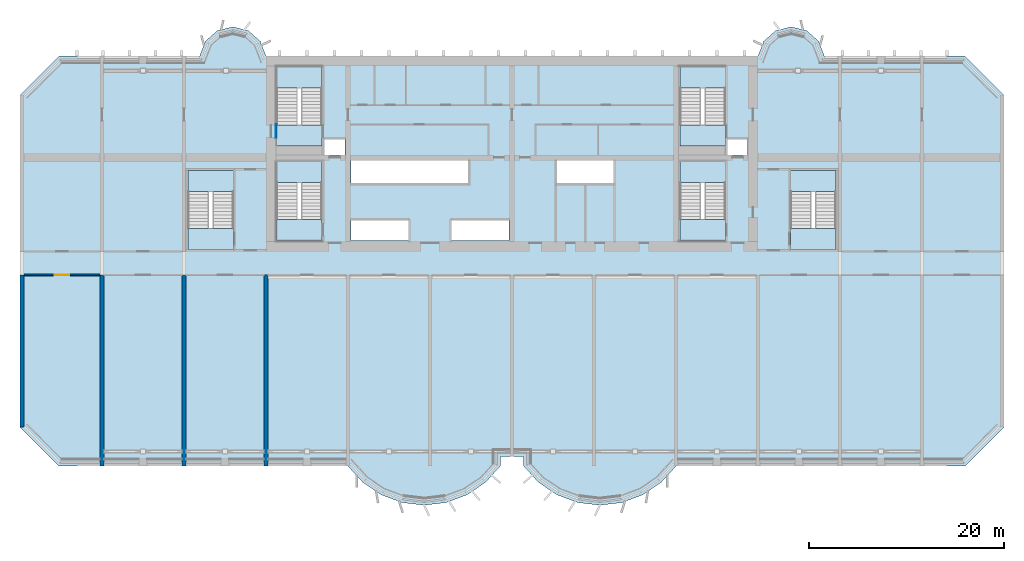
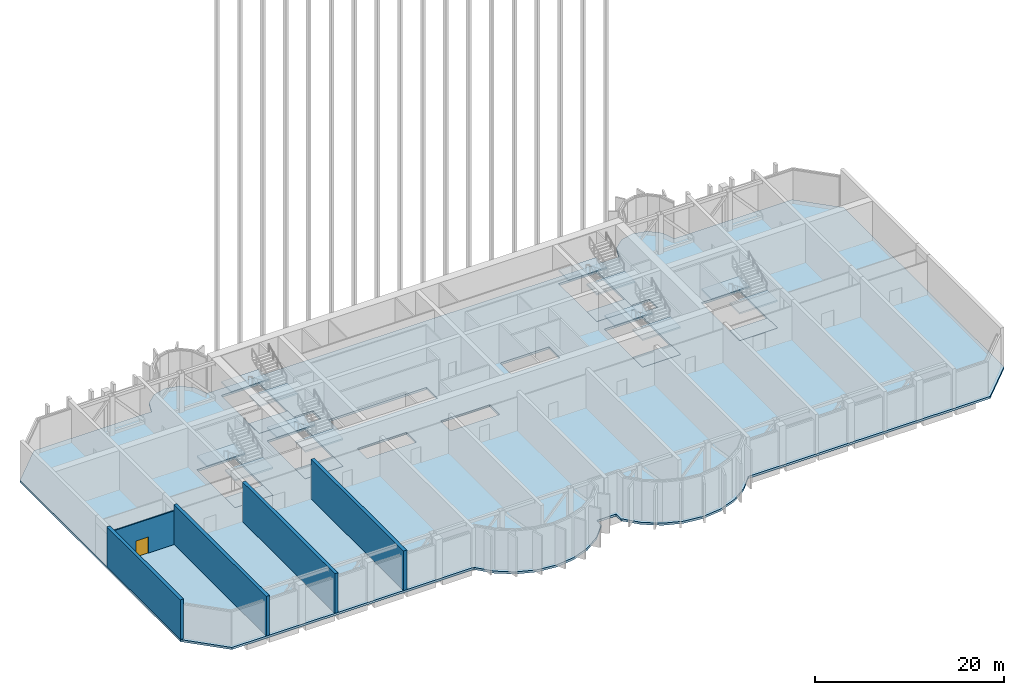
# One storey, part 4 of 17: 20 slabs, 5 walls, 1 door, 1 opening, 6 elements without a shape of their own.
"""IFC4 building model written with IfcOpenShell, lengths in metres."""

from ifc_helpers import new_model, si_unit, direction, frame, frame_2d, origin, place, context, subcontext, project, spatial, polyline, rectangle, outline, extrude, source, transform, mapped, material, layer, layer_set, type_object, element, fill, aggregate, save


model = new_model("IFC4")

# Units and contexts
model_context = context("Model", 3, precision=1e-05, world=origin(), true_north=direction((0.0, 1.0)))
body_context = subcontext(model_context, "Body", "Model", "MODEL_VIEW")
ifc_project = project(units=[si_unit("LENGTHUNIT", "METRE"), si_unit("AREAUNIT", "SQUARE_METRE"), si_unit("VOLUMEUNIT", "CUBIC_METRE"), si_unit("PLANEANGLEUNIT", "RADIAN"), si_unit("MASSUNIT", "GRAM", prefix="KILO")], contexts=[model_context])

# Site, building, storey
site_placement = place(None, origin())
site = spatial("IfcSite", under=ifc_project, at=site_placement, CompositionType="ELEMENT")
building_placement = place(site_placement, origin())
building = spatial("IfcBuilding", under=site, at=building_placement, Name="Vanashikhar Sky Hotel", CompositionType="ELEMENT")
storey_placement = place(building_placement, frame((0.0, 0.0, 81.0)))
storey = spatial("IfcBuildingStorey", under=building, at=storey_placement, Name="L19", CompositionType="ELEMENT", Elevation=81.0)

# Slabs
ifc_material_1 = material(Name="Concrete M40", Category="concrete")
ifc_layer_1 = layer(ifc_material_1, 0.280029296875)
ifc_layer_set_1 = layer_set([ifc_layer_1], Name="Floor slab 280 mm")
slab_type_1 = type_object("IfcSlabType", Name="Floor slab 280 mm", PredefinedType="FLOOR", material=ifc_layer_set_1)
shared_shape_1 = source(origin(), body_context, "Body", "SweptSolid", [
    extrude(outline(polyline([(49.199951171875, 0.0), (49.199951171875, 1.0), (51.60009765625, 1.0), (51.60009765625, 0.0), (53.133056640625, -1.674072265625), (55.01708984375, -2.94189453125), (57.14599609375, -3.73193359375), (59.39990234375, -4.0), (61.654052734375, -3.73193359375), (63.782958984375, -2.94189453125), (65.6669921875, -1.674072265625), (67.199951171875, 0.0), (96.800048828125, 0.0), (100.800048828125, 4.0), (100.800048828125, 38.0), (96.800048828125, 42.0), (82.39990234375, 42.0), (81.81494140625, 43.527099609375), (80.587890625, 44.610107421875), (79.0, 45.0), (77.412109375, 44.610107421875), (76.18505859375, 43.527099609375), (75.60009765625, 42.0), (25.199951171875, 42.0), (24.614990234375, 43.527099609375), (23.387939453125, 44.610107421875), (21.800048828125, 45.0), (20.2119140625, 44.610107421875), (18.985107421875, 43.527099609375), (18.39990234375, 42.0), (4.0, 42.0), (0.0, 38.0), (0.0, 4.0), (4.0, 0.0), (33.60009765625, 0.0), (35.133056640625, -1.674072265625), (37.01708984375, -2.94189453125), (39.14599609375, -3.73193359375), (41.39990234375, -4.0), (43.654052734375, -3.73193359375), (45.782958984375, -2.94189453125), (47.6669921875, -1.674072265625), (49.199951171875, 0.0)]), holes=[polyline([(33.300048828125, 33.60009765625), (31.050048828125, 33.60009765625), (31.050048828125, 31.89990234375), (33.300048828125, 31.89990234375), (33.300048828125, 33.60009765625)]), polyline([(33.89990234375, 25.199951171875), (33.89990234375, 23.10009765625), (39.89990234375, 23.10009765625), (39.89990234375, 25.199951171875), (33.89990234375, 25.199951171875)]), polyline([(33.89990234375, 31.300048828125), (33.89990234375, 29.0), (45.89990234375, 29.0), (45.89990234375, 31.300048828125), (33.89990234375, 31.300048828125)]), polyline([(44.10009765625, 25.199951171875), (44.10009765625, 23.10009765625), (50.10009765625, 23.10009765625), (50.10009765625, 25.199951171875), (44.10009765625, 25.199951171875)]), polyline([(54.89990234375, 31.300048828125), (54.89990234375, 29.0), (60.89990234375, 29.0), (60.89990234375, 31.300048828125), (54.89990234375, 31.300048828125)]), polyline([(74.5, 33.60009765625), (72.35009765625, 33.60009765625), (72.35009765625, 31.89990234375), (74.5, 31.89990234375), (74.5, 33.60009765625)]), polyline([(30.949951171875, 23.10009765625), (30.949951171875, 31.199951171875), (26.300048828125, 31.199951171875), (26.300048828125, 23.10009765625), (30.949951171875, 23.10009765625)]), polyline([(72.25, 23.10009765625), (72.25, 31.199951171875), (67.60009765625, 31.199951171875), (67.60009765625, 23.10009765625), (72.25, 23.10009765625)]), polyline([(26.300048828125, 35.0009765625), (26.199951171875, 35.0009765625), (26.199951171875, 33.59912109375), (26.300048828125, 33.59912109375), (26.300048828125, 32.800048828125), (30.949951171875, 32.800048828125), (30.949951171875, 40.89990234375), (26.300048828125, 40.89990234375), (26.300048828125, 35.0009765625)]), polyline([(72.25, 32.800048828125), (72.25, 40.89990234375), (67.60009765625, 40.89990234375), (67.60009765625, 32.800048828125), (72.25, 32.800048828125)]), polyline([(83.60009765625, 22.199951171875), (83.60009765625, 30.300048828125), (78.949951171875, 30.300048828125), (78.949951171875, 22.199951171875), (83.60009765625, 22.199951171875)]), polyline([(21.85009765625, 22.199951171875), (21.85009765625, 30.300048828125), (17.199951171875, 30.300048828125), (17.199951171875, 22.199951171875), (21.85009765625, 22.199951171875)])]), origin(), (0.0, 0.0, 1.0), 0.280029296875),
])
slab_1_placement = place(storey_placement, frame((0.0, 0.0, -0.280029296875)))
element("IfcSlab", 1, at=slab_1_placement, inside=storey, type_object=slab_type_1, Name="Floor slab L19", PredefinedType="FLOOR", context=body_context, shape_type="MappedRepresentation", body=[
    mapped(shared_shape_1, transform((0.0, 0.0, 0.0), scale=1.0)),
])
ifc_layer_2 = layer(ifc_material_1, 0.280029296875)
ifc_layer_set_2 = layer_set([ifc_layer_2], Name="Stair floor landing 280")
slab_type_2 = type_object("IfcSlabType", Name="Stair floor landing 280", PredefinedType="LANDING", material=ifc_layer_set_2)
shared_shape_2 = source(origin(), body_context, "Body", "SweptSolid", [
    extrude(outline(polyline([(26.199951171875, 33.60009765625), (26.300048828125, 33.60009765625), (26.300048828125, 35.0), (26.199951171875, 35.0), (26.199951171875, 33.60009765625)])), origin(), (0.0, 0.0, 1.0), 0.280029296875),
])
slab_2_placement = place(storey_placement, frame((0.0, 0.0, -0.280029296875)))
element("IfcSlab", 2, at=slab_2_placement, inside=storey, type_object=slab_type_2, Name="Stair floor landing", PredefinedType="LANDING", context=body_context, shape_type="MappedRepresentation", body=[
    mapped(shared_shape_2, transform((0.0, 0.0, 0.0), scale=1.0)),
])

# Stair, slabs
stair_type = type_object("IfcStairType", Name="Exit stair 2150", PredefinedType="DOUBLE_RETURN_STAIR", material=ifc_material_1)
stair_1_placement = place(storey_placement, origin())
stair_1 = element("IfcStair", 3, at=stair_1_placement, inside=storey, type_object=stair_type, Name="L19 Exit stair 1", PredefinedType="DOUBLE_RETURN_STAIR")
ifc_layer_3 = layer(ifc_material_1, 0.199951171875)
ifc_layer_set_3 = layer_set([ifc_layer_3], Name="Stair landing 200")
slab_type_3 = type_object("IfcSlabType", Name="Stair landing 200", PredefinedType="LANDING", material=ifc_layer_set_3)
shared_shape_3 = source(origin(), body_context, "Body", "SweptSolid", [
    extrude(outline(polyline([(30.949951171875, 29.050048828125), (30.949951171875, 31.199951171875), (26.300048828125, 31.199951171875), (26.300048828125, 29.050048828125), (30.949951171875, 29.050048828125)])), origin(), (0.0, 0.0, 1.0), 0.199951171875),
])
slab_3_placement = place(storey_placement, frame((0.0, 0.0, 1.60009765625)))
slab_3 = element("IfcSlab", 4, at=slab_3_placement, type_object=slab_type_3, Name="ST-C1 landing 1", PredefinedType="LANDING", context=body_context, shape_type="MappedRepresentation", body=[
    mapped(shared_shape_3, transform((0.0, 0.0, 0.0), scale=1.0)),
])
shared_shape_4 = source(origin(), body_context, "Body", "SweptSolid", [
    extrude(outline(polyline([(30.949951171875, 23.10009765625), (30.949951171875, 25.25), (26.300048828125, 25.25), (26.300048828125, 23.10009765625), (30.949951171875, 23.10009765625)])), origin(), (0.0, 0.0, 1.0), 0.2001953125),
])
slab_4_placement = place(storey_placement, frame((0.0, 0.0, 3.39990234375)))
slab_4 = element("IfcSlab", 5, at=slab_4_placement, type_object=slab_type_3, Name="ST-C1 landing 2", PredefinedType="LANDING", context=body_context, shape_type="MappedRepresentation", body=[
    mapped(shared_shape_4, transform((0.0, 0.0, 0.0), scale=1.0)),
])
aggregate(stair_1, [slab_3, slab_4])

# Slab
shared_shape_5 = source(origin(), body_context, "Body", "SweptSolid", [
    extrude(outline(polyline([(30.949951171875, 23.10009765625), (30.949951171875, 25.25), (26.300048828125, 25.25), (26.300048828125, 23.10009765625), (30.949951171875, 23.10009765625)])), origin(), (0.0, 0.0, 1.0), 0.280029296875),
])
slab_5_placement = place(storey_placement, frame((0.0, 0.0, -0.280029296875)))
element("IfcSlab", 6, at=slab_5_placement, inside=storey, type_object=slab_type_2, Name="Exit stair 1 floor landing", PredefinedType="LANDING", context=body_context, shape_type="MappedRepresentation", body=[
    mapped(shared_shape_5, transform((0.0, 0.0, 0.0), scale=1.0)),
])

# Stair, slabs
stair_2_placement = place(storey_placement, origin())
stair_2 = element("IfcStair", 7, at=stair_2_placement, inside=storey, type_object=stair_type, Name="L19 Exit stair 2", PredefinedType="DOUBLE_RETURN_STAIR")
shared_shape_6 = source(origin(), body_context, "Body", "SweptSolid", [
    extrude(outline(polyline([(72.25, 29.050048828125), (72.25, 31.199951171875), (67.60009765625, 31.199951171875), (67.60009765625, 29.050048828125), (72.25, 29.050048828125)])), origin(), (0.0, 0.0, 1.0), 0.199951171875),
])
slab_6_placement = place(storey_placement, frame((0.0, 0.0, 1.60009765625)))
slab_6 = element("IfcSlab", 8, at=slab_6_placement, type_object=slab_type_3, Name="ST-C2 landing 1", PredefinedType="LANDING", context=body_context, shape_type="MappedRepresentation", body=[
    mapped(shared_shape_6, transform((0.0, 0.0, 0.0), scale=1.0)),
])
shared_shape_7 = source(origin(), body_context, "Body", "SweptSolid", [
    extrude(outline(polyline([(72.25, 23.10009765625), (72.25, 25.25), (67.60009765625, 25.25), (67.60009765625, 23.10009765625), (72.25, 23.10009765625)])), origin(), (0.0, 0.0, 1.0), 0.2001953125),
])
slab_7_placement = place(storey_placement, frame((0.0, 0.0, 3.39990234375)))
slab_7 = element("IfcSlab", 9, at=slab_7_placement, type_object=slab_type_3, Name="ST-C2 landing 2", PredefinedType="LANDING", context=body_context, shape_type="MappedRepresentation", body=[
    mapped(shared_shape_7, transform((0.0, 0.0, 0.0), scale=1.0)),
])
aggregate(stair_2, [slab_6, slab_7])

# Slab
shared_shape_8 = source(origin(), body_context, "Body", "SweptSolid", [
    extrude(outline(polyline([(72.25, 23.10009765625), (72.25, 25.25), (67.60009765625, 25.25), (67.60009765625, 23.10009765625), (72.25, 23.10009765625)])), origin(), (0.0, 0.0, 1.0), 0.280029296875),
])
slab_8_placement = place(storey_placement, frame((0.0, 0.0, -0.280029296875)))
element("IfcSlab", 10, at=slab_8_placement, inside=storey, type_object=slab_type_2, Name="Exit stair 2 floor landing", PredefinedType="LANDING", context=body_context, shape_type="MappedRepresentation", body=[
    mapped(shared_shape_8, transform((0.0, 0.0, 0.0), scale=1.0)),
])

# Stair, slabs
stair_3_placement = place(storey_placement, origin())
stair_3 = element("IfcStair", 11, at=stair_3_placement, inside=storey, type_object=stair_type, Name="L19 Exit stair 3", PredefinedType="DOUBLE_RETURN_STAIR")
shared_shape_9 = source(origin(), body_context, "Body", "SweptSolid", [
    extrude(outline(polyline([(21.85009765625, 28.14990234375), (21.85009765625, 30.300048828125), (17.199951171875, 30.300048828125), (17.199951171875, 28.14990234375), (21.85009765625, 28.14990234375)])), origin(), (0.0, 0.0, 1.0), 0.199951171875),
])
slab_9_placement = place(storey_placement, frame((0.0, 0.0, 1.60009765625)))
slab_9 = element("IfcSlab", 12, at=slab_9_placement, type_object=slab_type_3, Name="ST-W landing 1", PredefinedType="LANDING", context=body_context, shape_type="MappedRepresentation", body=[
    mapped(shared_shape_9, transform((0.0, 0.0, 0.0), scale=1.0)),
])
shared_shape_10 = source(origin(), body_context, "Body", "SweptSolid", [
    extrude(outline(polyline([(21.85009765625, 22.199951171875), (21.85009765625, 24.35009765625), (17.199951171875, 24.35009765625), (17.199951171875, 22.199951171875), (21.85009765625, 22.199951171875)])), origin(), (0.0, 0.0, 1.0), 0.2001953125),
])
slab_10_placement = place(storey_placement, frame((0.0, 0.0, 3.39990234375)))
slab_10 = element("IfcSlab", 13, at=slab_10_placement, type_object=slab_type_3, Name="ST-W landing 2", PredefinedType="LANDING", context=body_context, shape_type="MappedRepresentation", body=[
    mapped(shared_shape_10, transform((0.0, 0.0, 0.0), scale=1.0)),
])
aggregate(stair_3, [slab_9, slab_10])

# Slab
shared_shape_11 = source(origin(), body_context, "Body", "SweptSolid", [
    extrude(outline(polyline([(21.85009765625, 22.199951171875), (21.85009765625, 24.35009765625), (17.199951171875, 24.35009765625), (17.199951171875, 22.199951171875), (21.85009765625, 22.199951171875)])), origin(), (0.0, 0.0, 1.0), 0.280029296875),
])
slab_11_placement = place(storey_placement, frame((0.0, 0.0, -0.280029296875)))
element("IfcSlab", 14, at=slab_11_placement, inside=storey, type_object=slab_type_2, Name="Exit stair 3 floor landing", PredefinedType="LANDING", context=body_context, shape_type="MappedRepresentation", body=[
    mapped(shared_shape_11, transform((0.0, 0.0, 0.0), scale=1.0)),
])

# Stair, slabs
stair_4_placement = place(storey_placement, origin())
stair_4 = element("IfcStair", 15, at=stair_4_placement, inside=storey, type_object=stair_type, Name="L19 Exit stair 4", PredefinedType="DOUBLE_RETURN_STAIR")
shared_shape_12 = source(origin(), body_context, "Body", "SweptSolid", [
    extrude(outline(polyline([(83.60009765625, 28.14990234375), (83.60009765625, 30.300048828125), (78.949951171875, 30.300048828125), (78.949951171875, 28.14990234375), (83.60009765625, 28.14990234375)])), origin(), (0.0, 0.0, 1.0), 0.199951171875),
])
slab_12_placement = place(storey_placement, frame((0.0, 0.0, 1.60009765625)))
slab_12 = element("IfcSlab", 16, at=slab_12_placement, type_object=slab_type_3, Name="ST-E landing 1", PredefinedType="LANDING", context=body_context, shape_type="MappedRepresentation", body=[
    mapped(shared_shape_12, transform((0.0, 0.0, 0.0), scale=1.0)),
])
shared_shape_13 = source(origin(), body_context, "Body", "SweptSolid", [
    extrude(outline(polyline([(83.60009765625, 22.199951171875), (83.60009765625, 24.35009765625), (78.949951171875, 24.35009765625), (78.949951171875, 22.199951171875), (83.60009765625, 22.199951171875)])), origin(), (0.0, 0.0, 1.0), 0.2001953125),
])
slab_13_placement = place(storey_placement, frame((0.0, 0.0, 3.39990234375)))
slab_13 = element("IfcSlab", 17, at=slab_13_placement, type_object=slab_type_3, Name="ST-E landing 2", PredefinedType="LANDING", context=body_context, shape_type="MappedRepresentation", body=[
    mapped(shared_shape_13, transform((0.0, 0.0, 0.0), scale=1.0)),
])
aggregate(stair_4, [slab_12, slab_13])

# Slab
shared_shape_14 = source(origin(), body_context, "Body", "SweptSolid", [
    extrude(outline(polyline([(83.60009765625, 22.199951171875), (83.60009765625, 24.35009765625), (78.949951171875, 24.35009765625), (78.949951171875, 22.199951171875), (83.60009765625, 22.199951171875)])), origin(), (0.0, 0.0, 1.0), 0.280029296875),
])
slab_14_placement = place(storey_placement, frame((0.0, 0.0, -0.280029296875)))
element("IfcSlab", 18, at=slab_14_placement, inside=storey, type_object=slab_type_2, Name="Exit stair 4 floor landing", PredefinedType="LANDING", context=body_context, shape_type="MappedRepresentation", body=[
    mapped(shared_shape_14, transform((0.0, 0.0, 0.0), scale=1.0)),
])

# Stair, slabs
stair_5_placement = place(storey_placement, origin())
stair_5 = element("IfcStair", 19, at=stair_5_placement, inside=storey, type_object=stair_type, Name="L19 Exit stair 5", PredefinedType="DOUBLE_RETURN_STAIR")
shared_shape_15 = source(origin(), body_context, "Body", "SweptSolid", [
    extrude(outline(polyline([(30.949951171875, 38.75), (30.949951171875, 40.89990234375), (26.300048828125, 40.89990234375), (26.300048828125, 38.75), (30.949951171875, 38.75)])), origin(), (0.0, 0.0, 1.0), 0.199951171875),
])
slab_15_placement = place(storey_placement, frame((0.0, 0.0, 1.60009765625)))
slab_15 = element("IfcSlab", 20, at=slab_15_placement, type_object=slab_type_3, Name="ST-C3 landing 1", PredefinedType="LANDING", context=body_context, shape_type="MappedRepresentation", body=[
    mapped(shared_shape_15, transform((0.0, 0.0, 0.0), scale=1.0)),
])
shared_shape_16 = source(origin(), body_context, "Body", "SweptSolid", [
    extrude(outline(polyline([(30.949951171875, 32.800048828125), (30.949951171875, 34.949951171875), (26.300048828125, 34.949951171875), (26.300048828125, 32.800048828125), (30.949951171875, 32.800048828125)])), origin(), (0.0, 0.0, 1.0), 0.2001953125),
])
slab_16_placement = place(storey_placement, frame((0.0, 0.0, 3.39990234375)))
slab_16 = element("IfcSlab", 21, at=slab_16_placement, type_object=slab_type_3, Name="ST-C3 landing 2", PredefinedType="LANDING", context=body_context, shape_type="MappedRepresentation", body=[
    mapped(shared_shape_16, transform((0.0, 0.0, 0.0), scale=1.0)),
])
aggregate(stair_5, [slab_15, slab_16])

# Slab
shared_shape_17 = source(origin(), body_context, "Body", "SweptSolid", [
    extrude(outline(polyline([(30.949951171875, 32.800048828125), (30.949951171875, 34.949951171875), (26.300048828125, 34.949951171875), (26.300048828125, 32.800048828125), (30.949951171875, 32.800048828125)])), origin(), (0.0, 0.0, 1.0), 0.280029296875),
])
slab_17_placement = place(storey_placement, frame((0.0, 0.0, -0.280029296875)))
element("IfcSlab", 22, at=slab_17_placement, inside=storey, type_object=slab_type_2, Name="Exit stair 5 floor landing", PredefinedType="LANDING", context=body_context, shape_type="MappedRepresentation", body=[
    mapped(shared_shape_17, transform((0.0, 0.0, 0.0), scale=1.0)),
])

# Stair, slabs
stair_6_placement = place(storey_placement, origin())
stair_6 = element("IfcStair", 23, at=stair_6_placement, inside=storey, type_object=stair_type, Name="L19 Exit stair 6", PredefinedType="DOUBLE_RETURN_STAIR")
shared_shape_18 = source(origin(), body_context, "Body", "SweptSolid", [
    extrude(outline(polyline([(72.25, 38.75), (72.25, 40.89990234375), (67.60009765625, 40.89990234375), (67.60009765625, 38.75), (72.25, 38.75)])), origin(), (0.0, 0.0, 1.0), 0.199951171875),
])
slab_18_placement = place(storey_placement, frame((0.0, 0.0, 1.60009765625)))
slab_18 = element("IfcSlab", 24, at=slab_18_placement, type_object=slab_type_3, Name="ST-C4 landing 1", PredefinedType="LANDING", context=body_context, shape_type="MappedRepresentation", body=[
    mapped(shared_shape_18, transform((0.0, 0.0, 0.0), scale=1.0)),
])
shared_shape_19 = source(origin(), body_context, "Body", "SweptSolid", [
    extrude(outline(polyline([(72.25, 32.800048828125), (72.25, 34.949951171875), (67.60009765625, 34.949951171875), (67.60009765625, 32.800048828125), (72.25, 32.800048828125)])), origin(), (0.0, 0.0, 1.0), 0.2001953125),
])
slab_19_placement = place(storey_placement, frame((0.0, 0.0, 3.39990234375)))
slab_19 = element("IfcSlab", 25, at=slab_19_placement, type_object=slab_type_3, Name="ST-C4 landing 2", PredefinedType="LANDING", context=body_context, shape_type="MappedRepresentation", body=[
    mapped(shared_shape_19, transform((0.0, 0.0, 0.0), scale=1.0)),
])
aggregate(stair_6, [slab_18, slab_19])

# Slab
shared_shape_20 = source(origin(), body_context, "Body", "SweptSolid", [
    extrude(outline(polyline([(72.25, 32.800048828125), (72.25, 34.949951171875), (67.60009765625, 34.949951171875), (67.60009765625, 32.800048828125), (72.25, 32.800048828125)])), origin(), (0.0, 0.0, 1.0), 0.280029296875),
])
slab_20_placement = place(storey_placement, frame((0.0, 0.0, -0.280029296875)))
element("IfcSlab", 26, at=slab_20_placement, inside=storey, type_object=slab_type_2, Name="Exit stair 6 floor landing", PredefinedType="LANDING", context=body_context, shape_type="MappedRepresentation", body=[
    mapped(shared_shape_20, transform((0.0, 0.0, 0.0), scale=1.0)),
])

# Walls
ifc_material_2 = material(Name="Concrete M80", Category="concrete")
ifc_layer_4 = layer(ifc_material_2, 0.39990234375)
ifc_layer_set_4 = layer_set([ifc_layer_4], Name="RC shear wall 400 Concrete M80")
wall_type_1 = type_object("IfcWallType", Name="RC shear wall 400 Concrete M80", PredefinedType="SHEAR", material=ifc_layer_set_4)
shared_shape_21 = source(origin(), body_context, "Body", "SweptSolid", [
    extrude(rectangle(XDim=15.60009765625, YDim=0.39990234375, at=frame_2d((7.800048828125, 0.0))), origin(), (0.0, 0.0, 1.0), 5.1201171875),
])
wall_1_placement = place(storey_placement, frame((0.199951171875, 4.0, 0.0), z_axis=(0.0, 0.0, 1.0), x_axis=(0.0, 1.0, 0.0)))
element("IfcWall", 27, at=wall_1_placement, inside=storey, type_object=wall_type_1, Name="CW-L19-XW01-1", PredefinedType="SHEAR", context=body_context, shape_type="MappedRepresentation", body=[
    mapped(shared_shape_21, transform((0.0, 0.0, 0.0), scale=1.0)),
])
shared_shape_22 = source(origin(), body_context, "Body", "SweptSolid", [
    extrude(rectangle(XDim=19.60009765625, YDim=0.39990234375, at=frame_2d((9.800048828125, 0.0))), origin(), (0.0, 0.0, 1.0), 5.1201171875),
])
for number, where, z_axis, x_axis, name in (
    (28, (8.39990234375, 0.0, 0.0), (0.0, 0.0, 1.0), (0.0, 1.0, 0.0), "CW-L19-XW02-1"),
    (29, (16.800048828125, 0.0, 0.0), (0.0, 0.0, 1.0), (0.0, 1.0, 0.0), "CW-L19-XW03-1"),
    (30, (25.199951171875, 0.0, 0.0), (0.0, 0.0, 1.0), (0.0, 1.0, 0.0), "CW-L19-XW04-1"),
):
    element("IfcWall", number, at=place(storey_placement, frame(where, z_axis=z_axis, x_axis=x_axis)), inside=storey, type_object=wall_type_1, Name=name, PredefinedType="SHEAR", context=body_context, shape_type="MappedRepresentation", body=[
        mapped(shared_shape_22, transform((0.0, 0.0, 0.0), scale=1.0)),
    ])

# Wall, opening, door
ifc_material_3 = material(Name="Gypsum board partition")
ifc_layer_5 = layer(ifc_material_3, 0.14990234375)
ifc_layer_set_5 = layer_set([ifc_layer_5], Name="Service partition 150")
wall_type_2 = type_object("IfcWallType", Name="Service partition 150", PredefinedType="PARTITIONING", material=ifc_layer_set_5)
shared_shape_23 = source(origin(), body_context, "Body", "SweptSolid", [
    extrude(rectangle(XDim=7.800048828125, YDim=0.14990234375, at=frame_2d((3.89990234375, 0.0))), origin(), (0.0, 0.0, 1.0), 4.3701171875),
])
wall_2_placement = place(storey_placement, frame((0.39990234375, 19.60009765625, 0.0), z_axis=(0.0, 0.0, 1.0), x_axis=(1.0, 0.0, 0.0)))
wall_2 = element("IfcWall", 31, at=wall_2_placement, inside=storey, type_object=wall_type_2, Name="Service partition 150", PredefinedType="PARTITIONING", context=body_context, shape_type="MappedRepresentation", body=[
    mapped(shared_shape_23, transform((0.0, 0.0, 0.0), scale=1.0)),
])
shared_shape_24 = source(origin(), body_context, "Body", "SweptSolid", [
    extrude(rectangle(XDim=1.5, YDim=2.10009765625, at=frame_2d((0.75, 1.050048828125))), frame((0.0, 0.0849609375, 0.0), z_axis=(0.0, -1.0, 0.0), x_axis=(1.0, 0.0, 0.0)), (0.0, 0.0, 1.0), 0.169921875),
])
opening_placement = place(wall_2_placement, frame((3.14990234375, 0.0, 0.0)))
opening = element("IfcOpeningElement", 32, at=opening_placement, cuts=wall_2, Name="Opening DC-4-E", PredefinedType="OPENING", context=body_context, shape_type="MappedRepresentation", body=[
    mapped(shared_shape_24, transform((0.0, 0.0, 0.0), scale=1.0)),
])
ifc_material_4 = material(Name="Steel", Category="steel")
door_type = type_object("IfcDoorType", Name="Service door 1500 FD60", OperationType="NOTDEFINED", PredefinedType="DOOR", material=ifc_material_4)
shared_shape_25 = source(origin(), body_context, "Body", "SweptSolid", [
    extrude(rectangle(XDim=1.5, YDim=2.10009765625, at=frame_2d((0.75, 1.050048828125))), frame((0.0, 0.02490234375, 0.0), z_axis=(0.0, -1.0, 0.0), x_axis=(1.0, 0.0, 0.0)), (0.0, 0.0, 1.0), 0.050048828125),
])
door_placement = place(opening_placement, origin())
door = element("IfcDoor", 33, at=door_placement, inside=storey, type_object=door_type, Name="Service door 1500 FD60", OperationType="SINGLE_SWING_RIGHT", OverallHeight=2.10009765625, OverallWidth=1.5, PredefinedType="DOOR", context=body_context, shape_type="MappedRepresentation", body=[
    mapped(shared_shape_25, transform((0.0, 0.0, 0.0), scale=1.0)),
])
fill(opening, door)

save(model, "model.ifc")
